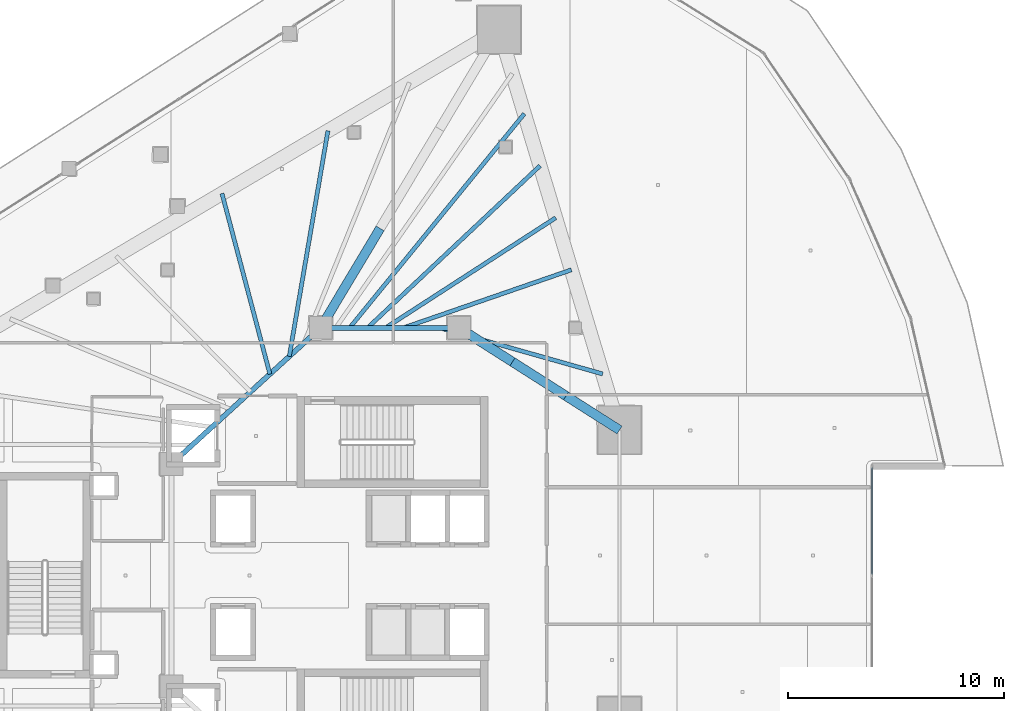
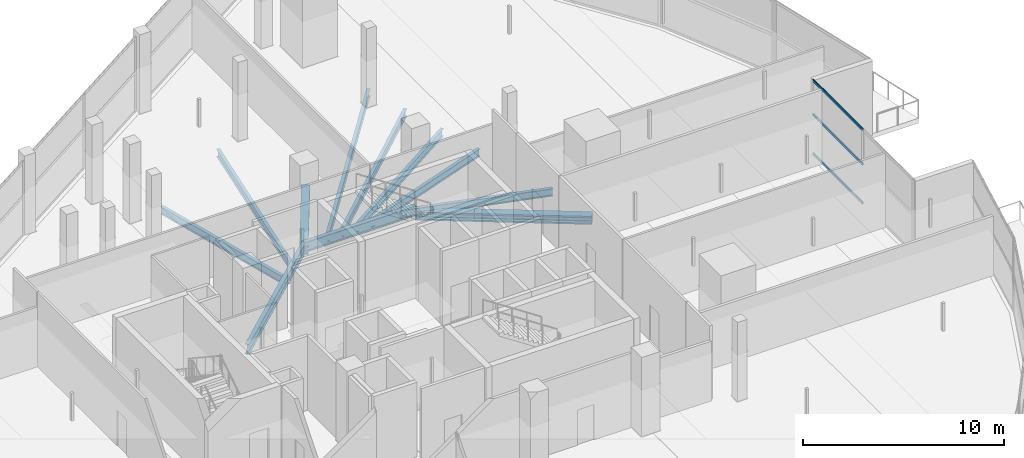
# One storey, part 17 of 42: 9 beams, 7 members, 1 element without a shape of its own.
"""IFC4 building model written with IfcOpenShell, lengths in metres."""

from ifc_helpers import new_model, si_unit, direction, frame, origin, origin_2d, place, context, subcontext, project, spatial, hollow_rectangle, i_section, extrude, material, layer, layer_set, material_profile, profile_set, type_object, element, aggregate, save


model = new_model("IFC4")

# Units and contexts
model_context = context("Model", 3, precision=1e-05, world=origin(), true_north=direction((0.0, 1.0)))
body_context = subcontext(model_context, "Body", "Model", "MODEL_VIEW")
ifc_project = project(units=[si_unit("LENGTHUNIT", "METRE"), si_unit("AREAUNIT", "SQUARE_METRE"), si_unit("VOLUMEUNIT", "CUBIC_METRE"), si_unit("PLANEANGLEUNIT", "RADIAN"), si_unit("MASSUNIT", "GRAM", prefix="KILO")], contexts=[model_context])

# Site, building, storey
site_placement = place(None, origin())
site = spatial("IfcSite", under=ifc_project, at=site_placement, CompositionType="ELEMENT")
building_placement = place(site_placement, origin())
building = spatial("IfcBuilding", under=site, at=building_placement, Name="Qorvath Tower", CompositionType="ELEMENT")
storey_placement = place(building_placement, frame((0.0, 0.0, 105.0)))
storey = spatial("IfcBuildingStorey", under=building, at=storey_placement, Name="L23", CompositionType="ELEMENT", Elevation=105.0)

# Beams
ifc_material_1 = material(Name="Steel ASTM A992 Grade 50", Category="steel")
ifc_material_profile_1 = material_profile(ifc_material_1, i_section(OverallWidth=0.22998046875, OverallDepth=0.616943359375, WebThickness=0.01318359375, FlangeThickness=0.022216796875, FilletRadius=0.014892578125, at=origin_2d()), Name="W24x94")
ifc_profile_set_1 = profile_set([ifc_material_profile_1], Name="Steel ASTM A992 Grade 50")
beam_type_1 = type_object("IfcBeamType", Name="BM-FG6", PredefinedType="BEAM", material=ifc_profile_set_1)
beam_1_placement = place(storey_placement, frame((-23.60009765625, 11.449951171875, -0.6083984375), z_axis=(1.0, 0.0, 0.0), x_axis=(0.0, 1.0, 0.0)))
element("IfcBeam", 1, at=beam_1_placement, inside=storey, type_object=beam_type_1, Name="Core Ring Girder CC1-CC2 L23", PredefinedType="BEAM", context=body_context, shape_type="SweptSolid", body=[
    extrude(i_section(OverallWidth=0.22998046875, OverallDepth=0.616943359375, WebThickness=0.01318359375, FlangeThickness=0.022216796875, FilletRadius=0.014892578125, at=origin_2d()), origin(), (0.0, 0.0, 1.0), 6.400146484375),
])
beam_2_placement = place(storey_placement, frame((-30.5, 5.14990234375, -0.6083984375), z_axis=(0.73847813985, 0.6742774184, 0.0), x_axis=(-0.6742774184, 0.73847813985, 0.0)))
element("IfcBeam", 2, at=beam_2_placement, inside=storey, type_object=beam_type_1, Name="Core Ring Girder CC5-CC1 L23", PredefinedType="BEAM", context=body_context, shape_type="SweptSolid", body=[
    extrude(i_section(OverallWidth=0.22998046875, OverallDepth=0.616943359375, WebThickness=0.01318359375, FlangeThickness=0.022216796875, FilletRadius=0.014892578125, at=origin_2d()), origin(), (0.0, 0.0, 1.0), 9.343505859375),
])
ifc_material_2 = material(Name="Steel ASTM A992 Grade 50", Category="steel")
ifc_material_profile_2 = material_profile(ifc_material_2, i_section(OverallWidth=0.18994140625, OverallDepth=0.45703125, WebThickness=0.009033203125, FlangeThickness=0.014404296875, FilletRadius=0.011962890625, at=origin_2d()), Name="W18x50")
ifc_profile_set_2 = profile_set([ifc_material_profile_2], Name="Steel ASTM A992 Grade 50")
beam_type_2 = type_object("IfcBeamType", Name="BM-FJ2", PredefinedType="JOIST", material=ifc_profile_set_2)
beam_3_placement = place(storey_placement, frame((-18.095947265625, 11.449951171875, -0.528564453125), z_axis=(0.962222206221, -0.272265359264, 0.0), x_axis=(0.272265359264, 0.962222206221, 0.0)))
element("IfcBeam", 3, at=beam_3_placement, inside=storey, type_object=beam_type_2, Name="Composite Floor Joist NE1 L23", PredefinedType="JOIST", context=body_context, shape_type="SweptSolid", body=[
    extrude(i_section(OverallWidth=0.18994140625, OverallDepth=0.45703125, WebThickness=0.009033203125, FlangeThickness=0.014404296875, FilletRadius=0.011962890625, at=origin_2d()), origin(), (0.0, 0.0, 1.0), 7.841552734375),
])
beam_4_placement = place(storey_placement, frame((-19.760009765625, 11.449951171875, -0.528564453125), z_axis=(0.945168345309, 0.326583525342, 0.0), x_axis=(-0.326583525342, 0.945168345309, 0.0)))
element("IfcBeam", 4, at=beam_4_placement, inside=storey, type_object=beam_type_2, Name="Composite Floor Joist NE3 L23", PredefinedType="JOIST", context=body_context, shape_type="SweptSolid", body=[
    extrude(i_section(OverallWidth=0.18994140625, OverallDepth=0.45703125, WebThickness=0.009033203125, FlangeThickness=0.014404296875, FilletRadius=0.011962890625, at=origin_2d()), origin(), (0.0, 0.0, 1.0), 8.21044921875),
])
beam_5_placement = place(storey_placement, frame((-20.592041015625, 11.449951171875, -0.528564453125), z_axis=(0.839630966809, 0.543157288062, 0.0), x_axis=(-0.543157288062, 0.839630966809, 0.0)))
element("IfcBeam", 5, at=beam_5_placement, inside=storey, type_object=beam_type_2, Name="Composite Floor Joist NE4 L23", PredefinedType="JOIST", context=body_context, shape_type="SweptSolid", body=[
    extrude(i_section(OverallWidth=0.18994140625, OverallDepth=0.45703125, WebThickness=0.009033203125, FlangeThickness=0.014404296875, FilletRadius=0.011962890625, at=origin_2d()), origin(), (0.0, 0.0, 1.0), 9.370361328125),
])
beam_6_placement = place(storey_placement, frame((-21.424072265625, 11.449951171875, -0.528564453125), z_axis=(0.728572459091, 0.684968737866, 0.0), x_axis=(-0.684968737866, 0.728572459091, 0.0)))
element("IfcBeam", 6, at=beam_6_placement, inside=storey, type_object=beam_type_2, Name="Composite Floor Joist NE5 L23", PredefinedType="JOIST", context=body_context, shape_type="SweptSolid", body=[
    extrude(i_section(OverallWidth=0.18994140625, OverallDepth=0.45703125, WebThickness=0.009033203125, FlangeThickness=0.014404296875, FilletRadius=0.011962890625, at=origin_2d()), origin(), (0.0, 0.0, 1.0), 10.9462890625),
])
beam_7_placement = place(storey_placement, frame((-22.256103515625, 11.449951171875, -0.528564453125), z_axis=(0.632187975212, 0.774815051478, 0.0), x_axis=(-0.774815051478, 0.632187975212, 0.0)))
element("IfcBeam", 7, at=beam_7_placement, inside=storey, type_object=beam_type_2, Name="Composite Floor Joist NE6 L23", PredefinedType="JOIST", context=body_context, shape_type="SweptSolid", body=[
    extrude(i_section(OverallWidth=0.18994140625, OverallDepth=0.45703125, WebThickness=0.009033203125, FlangeThickness=0.014404296875, FilletRadius=0.011962890625, at=origin_2d()), origin(), (0.0, 0.0, 1.0), 12.784912109375),
])
beam_8_placement = place(storey_placement, frame((-25.946044921875, 9.30810546875, -0.528564453125), z_axis=(-0.256507909517, 0.966542131702, 0.0), x_axis=(-0.966542131702, -0.256507909517, 0.0)))
element("IfcBeam", 8, at=beam_8_placement, inside=storey, type_object=beam_type_2, Name="Composite Floor Joist NW5 L23", PredefinedType="JOIST", context=body_context, shape_type="SweptSolid", body=[
    extrude(i_section(OverallWidth=0.18994140625, OverallDepth=0.45703125, WebThickness=0.009033203125, FlangeThickness=0.014404296875, FilletRadius=0.011962890625, at=origin_2d()), origin(), (0.0, 0.0, 1.0), 8.64697265625),
])
beam_9_placement = place(storey_placement, frame((-25.049072265625, 10.126953125, -0.528564453125), z_axis=(0.168745594245, 0.985659639238, 0.0), x_axis=(-0.985659639238, 0.168745594245, 0.0)))
element("IfcBeam", 9, at=beam_9_placement, inside=storey, type_object=beam_type_2, Name="Composite Floor Joist NW6 L23", PredefinedType="JOIST", context=body_context, shape_type="SweptSolid", body=[
    extrude(i_section(OverallWidth=0.18994140625, OverallDepth=0.45703125, WebThickness=0.009033203125, FlangeThickness=0.014404296875, FilletRadius=0.011962890625, at=origin_2d()), origin(), (0.0, 0.0, 1.0), 10.589111328125),
])

# Curtain wall, members
ifc_material_3 = material(Name="Anodised aluminium and triple low-E glass", Category="aluminium")
ifc_layer = layer(ifc_material_3, 0.179931640625)
ifc_layer_set = layer_set([ifc_layer], Name="CW-SYS-5")
curtain_wall_type = type_object("IfcCurtainWallType", Name="CW-SYS-5", PredefinedType="NOTDEFINED", material=ifc_layer_set)
curtain_wall_placement = place(storey_placement, origin())
curtain_wall = element("IfcCurtainWall", 10, at=curtain_wall_placement, inside=storey, type_object=curtain_wall_type, Name="Curtain Wall CW-5 CW-T-L23-9.1", PredefinedType="NOTDEFINED")
ifc_material_4 = material(Name="Anodised aluminium 6063-T6", Category="aluminium")
ifc_material_profile_3 = material_profile(ifc_material_4, hollow_rectangle(XDim=0.06494140625, YDim=0.159912109375, WallThickness=0.00341796875, InnerFilletRadius=0.00341796875, OuterFilletRadius=0.007080078125, at=origin_2d()), Name="CWT 160x65")
ifc_profile_set_3 = profile_set([ifc_material_profile_3], Name="Anodised aluminium 6063-T6")
member_type_1 = type_object("IfcMemberType", Name="CWT-160", PredefinedType="USERDEFINED", material=ifc_profile_set_3)
member_1_placement = place(storey_placement, frame((1.910400390625, 0.03759765625, 0.032470703125), z_axis=(0.0, 1.0, 0.0), x_axis=(-1.0, 0.0, 0.0)))
member_1 = element("IfcMember", 11, at=member_1_placement, type_object=member_type_1, Name="CW-5 transom 2.1", ObjectType="TRANSOM", PredefinedType="USERDEFINED", context=body_context, shape_type="SweptSolid", body=[
    extrude(hollow_rectangle(XDim=0.06494140625, YDim=0.159912109375, WallThickness=0.00341796875, InnerFilletRadius=0.00341796875, OuterFilletRadius=0.007080078125, at=origin_2d()), origin(), (0.0, 0.0, 1.0), 4.94189453125),
])
member_2_placement = place(storey_placement, frame((1.910400390625, 0.03759765625, 2.39990234375), z_axis=(0.0, 1.0, 0.0), x_axis=(-1.0, 0.0, 0.0)))
member_2 = element("IfcMember", 12, at=member_2_placement, type_object=member_type_1, Name="CW-5 transom 2.2", ObjectType="TRANSOM", PredefinedType="USERDEFINED", context=body_context, shape_type="SweptSolid", body=[
    extrude(hollow_rectangle(XDim=0.06494140625, YDim=0.159912109375, WallThickness=0.00341796875, InnerFilletRadius=0.00341796875, OuterFilletRadius=0.007080078125, at=origin_2d()), origin(), (0.0, 0.0, 1.0), 4.94189453125),
])
member_3_placement = place(storey_placement, frame((1.910400390625, 0.03759765625, 4.487548828125), z_axis=(0.0, 1.0, 0.0), x_axis=(-1.0, 0.0, 0.0)))
member_3 = element("IfcMember", 13, at=member_3_placement, type_object=member_type_1, Name="CW-5 transom 2.3", ObjectType="TRANSOM", PredefinedType="USERDEFINED", context=body_context, shape_type="SweptSolid", body=[
    extrude(hollow_rectangle(XDim=0.06494140625, YDim=0.159912109375, WallThickness=0.00341796875, InnerFilletRadius=0.00341796875, OuterFilletRadius=0.007080078125, at=origin_2d()), origin(), (0.0, 0.0, 1.0), 4.94189453125),
])
aggregate(curtain_wall, [member_1, member_2, member_3])

# Members
ifc_material_5 = material(Name="Steel ASTM A913 Grade 65", Category="steel")
ifc_material_profile_4 = material_profile(ifc_material_5, i_section(OverallWidth=0.431884765625, OverallDepth=0.498046875, WebThickness=0.0556640625, FlangeThickness=0.0888671875, FilletRadius=0.02490234375, at=origin_2d()), Name="W14x500")
ifc_profile_set_4 = profile_set([ifc_material_profile_4], Name="Steel ASTM A913 Grade 65")
member_type_2 = type_object("IfcMemberType", Name="MEM-OT1", PredefinedType="CHORD", material=ifc_profile_set_4)
member_4_placement = place(storey_placement, frame((-23.60009765625, 11.449951171875, -0.85009765625), z_axis=(0.513503904971, 0.85808725639, 0.0), x_axis=(-0.85808725639, 0.513503904971, 0.0)))
element("IfcMember", 14, at=member_4_placement, inside=storey, type_object=member_type_2, Name="Outrigger and Belt Truss Top Chord OB1-1.1", PredefinedType="CHORD", context=body_context, shape_type="SweptSolid", body=[
    extrude(i_section(OverallWidth=0.431884765625, OverallDepth=0.498046875, WebThickness=0.0556640625, FlangeThickness=0.0888671875, FilletRadius=0.02490234375, at=origin_2d()), origin(), (0.0, 0.0, 1.0), 5.359130859375),
])
for number, where, z_axis, x_axis, name in (
    (15, (-17.199951171875, 11.449951171875, -0.85009765625), (0.843634090834, -0.536918542037, 0.0), (0.536918542037, 0.843634090834, 0.0), "Outrigger and Belt Truss Top Chord OB1-2.1"),
    (16, (-14.723388671875, 9.873779296875, -0.85009765625), (0.843634090834, -0.536918542037, 0.0), (0.536918542037, 0.843634090834, 0.0), "Outrigger and Belt Truss Top Chord OB1-2.2"),
    (17, (-12.246826171875, 8.297607421875, -0.85009765625), (0.843634090834, -0.536918542037, 0.0), (0.536918542037, 0.843634090834, 0.0), "Outrigger and Belt Truss Top Chord OB1-2.3"),
):
    element("IfcMember", number, at=place(storey_placement, frame(where, z_axis=z_axis, x_axis=x_axis)), inside=storey, type_object=member_type_2, Name=name, PredefinedType="CHORD", context=body_context, shape_type="SweptSolid", body=[
        extrude(i_section(OverallWidth=0.431884765625, OverallDepth=0.498046875, WebThickness=0.0556640625, FlangeThickness=0.0888671875, FilletRadius=0.02490234375, at=origin_2d()), origin(), (0.0, 0.0, 1.0), 2.935546875),
    ])

save(model, "model.ifc")
